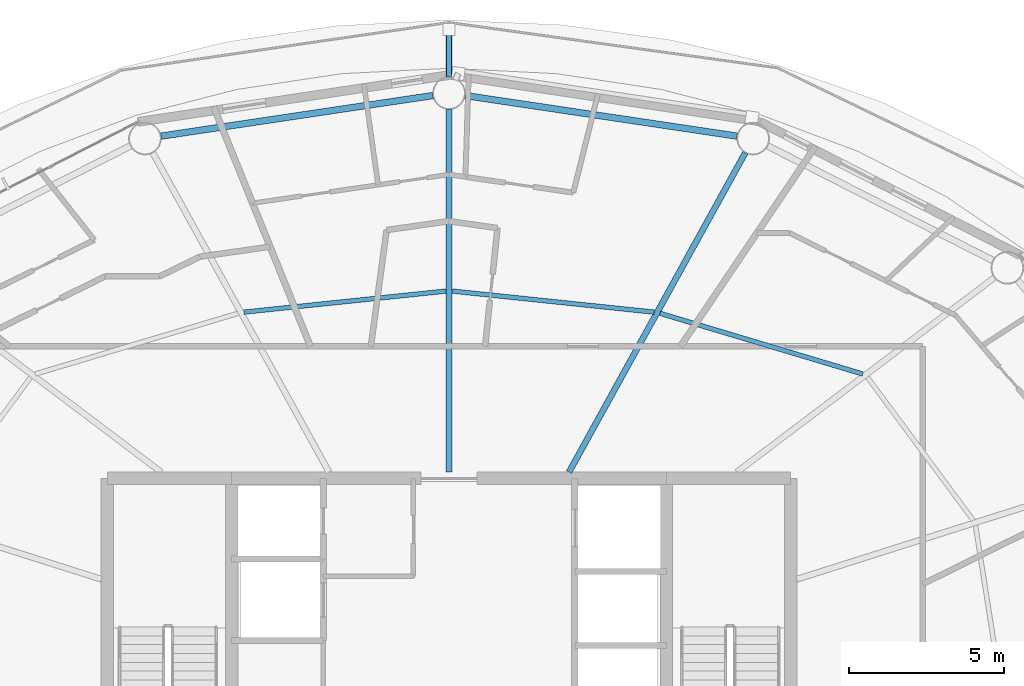
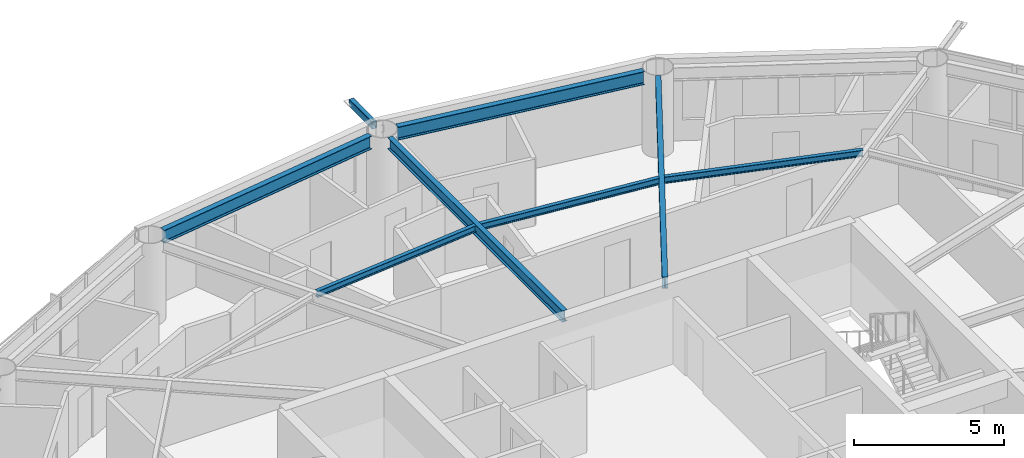
# One storey, part 10 of 23: 7 beams, 1 member.
"""IFC4 building model written with IfcOpenShell, lengths in metres."""

from ifc_helpers import new_model, si_unit, direction, frame, origin, origin_2d, place, context, subcontext, project, spatial, hollow_rectangle, i_section, extrude, material, material_profile, profile_set, type_object, element, save


model = new_model("IFC4")

# Units and contexts
model_context = context("Model", 3, precision=1e-05, world=origin(), true_north=direction((0.0, 1.0)))
body_context = subcontext(model_context, "Body", "Model", "MODEL_VIEW")
ifc_project = project(units=[si_unit("LENGTHUNIT", "METRE"), si_unit("AREAUNIT", "SQUARE_METRE"), si_unit("VOLUMEUNIT", "CUBIC_METRE"), si_unit("PLANEANGLEUNIT", "RADIAN"), si_unit("MASSUNIT", "GRAM", prefix="KILO")], contexts=[model_context])

# Site, building, storey
site_placement = place(None, origin())
site = spatial("IfcSite", under=ifc_project, at=site_placement, CompositionType="ELEMENT")
building_placement = place(site_placement, origin())
building = spatial("IfcBuilding", under=site, at=building_placement, Name="Sarneth Arch Tower", CompositionType="ELEMENT")
storey_placement = place(building_placement, frame((0.0, 0.0, 235.199951171875)))
storey = spatial("IfcBuildingStorey", under=building, at=storey_placement, Name="L60", CompositionType="ELEMENT", Elevation=235.199951171875)

# Beams
ifc_material_1 = material(Name="Steel S355", Category="steel")
ifc_material_profile_1 = material_profile(ifc_material_1, i_section(OverallWidth=0.14794921875, OverallDepth=0.26611328125, WebThickness=0.007568359375, FlangeThickness=0.012939453125, FilletRadius=0.012939453125, at=origin_2d()), Name="W250x44.8")
ifc_profile_set_1 = profile_set([ifc_material_profile_1], Name="Steel S355")
beam_type_1 = type_object("IfcBeamType", Name="BM-JOIST-250", PredefinedType="JOIST", material=ifc_profile_set_1)
beam_1_placement = place(storey_placement, frame((61.320068359375, 52.157470703125, 3.22705078125), z_axis=(-0.957984908347, 0.286818610589, 0.0), x_axis=(-0.286818610589, -0.957984908347, 0.0)))
element("IfcBeam", 1, at=beam_1_placement, inside=storey, type_object=beam_type_1, Name="L60 Secondary floor joist 03", PredefinedType="JOIST", context=body_context, shape_type="SweptSolid", body=[
    extrude(i_section(OverallWidth=0.14794921875, OverallDepth=0.26611328125, WebThickness=0.007568359375, FlangeThickness=0.012939453125, FilletRadius=0.012939453125, at=origin_2d()), origin(), (0.0, 0.0, 1.0), 6.81396484375),
])
for number, where, z_axis, x_axis, name in (
    (2, (54.60498046875, 54.1494140625, 3.22705078125), (-0.994616086198, 0.103628379682, 0.0), (-0.103628379682, -0.994616086198, 0.0), "L60 Secondary floor joist 04"),
    (3, (47.904541015625, 54.82763671875, 3.22705078125), (-0.994616086198, -0.103628379682, 0.0), (0.103628379682, -0.994616086198, 0.0), "L60 Secondary floor joist 05"),
):
    element("IfcBeam", number, at=place(storey_placement, frame(where, z_axis=z_axis, x_axis=x_axis)), inside=storey, type_object=beam_type_1, Name=name, PredefinedType="JOIST", context=body_context, shape_type="SweptSolid", body=[
        extrude(i_section(OverallWidth=0.14794921875, OverallDepth=0.26611328125, WebThickness=0.007568359375, FlangeThickness=0.012939453125, FilletRadius=0.012939453125, at=origin_2d()), origin(), (0.0, 0.0, 1.0), 6.544677734375),
    ])
ifc_material_2 = material(Name="Steel S355", Category="steel")
ifc_material_profile_2 = material_profile(ifc_material_2, i_section(OverallWidth=0.19189453125, OverallDepth=0.462890625, WebThickness=0.010498046875, FlangeThickness=0.017578125, FilletRadius=0.01806640625, at=origin_2d()), Name="W460x89")
ifc_profile_set_2 = profile_set([ifc_material_profile_2], Name="Steel S355")
beam_type_2 = type_object("IfcBeamType", Name="BM-RAD-460B", PredefinedType="BEAM", material=ifc_profile_set_2)
beam_2_placement = place(storey_placement, frame((51.86376953125, 49.0, 3.128662109375), z_axis=(0.483225760768, 0.875495781903, 0.0), x_axis=(-0.875495781903, 0.483225760768, 0.0)))
element("IfcBeam", 4, at=beam_2_placement, inside=storey, type_object=beam_type_2, Name="L60 Radial floor girder 04", PredefinedType="BEAM", context=body_context, shape_type="SweptSolid", body=[
    extrude(i_section(OverallWidth=0.19189453125, OverallDepth=0.462890625, WebThickness=0.010498046875, FlangeThickness=0.017578125, FilletRadius=0.01806640625, at=origin_2d()), origin(), (0.0, 0.0, 1.0), 11.740478515625),
])
beam_3_placement = place(storey_placement, frame((48.0, 49.0, 3.128662109375), z_axis=(0.0, 1.0, 0.0), x_axis=(-1.0, 0.0, 0.0)))
element("IfcBeam", 5, at=beam_3_placement, inside=storey, type_object=beam_type_2, Name="L60 Radial floor girder 05", PredefinedType="BEAM", context=body_context, shape_type="SweptSolid", body=[
    extrude(i_section(OverallWidth=0.19189453125, OverallDepth=0.462890625, WebThickness=0.010498046875, FlangeThickness=0.017578125, FilletRadius=0.01806640625, at=origin_2d()), origin(), (0.0, 0.0, 1.0), 11.675048828125),
])
ifc_material_3 = material(Name="Steel S355", Category="steel")
ifc_material_profile_3 = material_profile(ifc_material_3, i_section(OverallWidth=0.2109375, OverallDepth=0.5390625, WebThickness=0.01171875, FlangeThickness=0.018798828125, FilletRadius=0.01806640625, at=origin_2d()), Name="W530x109")
ifc_profile_set_3 = profile_set([ifc_material_profile_3], Name="Steel S355")
beam_type_3 = type_object("IfcBeamType", Name="BM-RAD-530B", PredefinedType="BEAM", material=ifc_profile_set_3)
for number, where, z_axis, x_axis, name in (
    (6, (57.271484375, 59.81591796875, 3.090576171875), (-0.989038715098, 0.147656425652, 0.0), (-0.147656425652, -0.989038715098, 0.0), "L60 Perimeter spandrel beam 04"),
    (7, (47.480712890625, 61.12255859375, 3.090576171875), (-0.989038715098, -0.147656425652, 0.0), (0.147656425652, -0.989038715098, 0.0), "L60 Perimeter spandrel beam 05"),
):
    element("IfcBeam", number, at=place(storey_placement, frame(where, z_axis=z_axis, x_axis=x_axis)), inside=storey, type_object=beam_type_3, Name=name, PredefinedType="BEAM", context=body_context, shape_type="SweptSolid", body=[
        extrude(i_section(OverallWidth=0.2109375, OverallDepth=0.5390625, WebThickness=0.01171875, FlangeThickness=0.018798828125, FilletRadius=0.01806640625, at=origin_2d()), origin(), (0.0, 0.0, 1.0), 8.84912109375),
    ])

# Member
ifc_material_4 = material(Name="Steel S355", Category="steel")
ifc_material_profile_4 = material_profile(ifc_material_4, hollow_rectangle(XDim=0.199951171875, YDim=0.300048828125, WallThickness=0.012451171875, InnerFilletRadius=0.018798828125, OuterFilletRadius=0.03125, at=origin_2d()), Name="RHS300x200x12.5")
ifc_profile_set_4 = profile_set([ifc_material_profile_4], Name="Steel S355")
member_type = type_object("IfcMemberType", Name="MEM-CANT-STRUT", PredefinedType="STRUT", material=ifc_profile_set_4)
member_placement = place(storey_placement, frame((48.0, 61.72509765625, 3.199951171875), z_axis=(0.0, 1.0, 0.0), x_axis=(-1.0, 0.0, 0.0)))
element("IfcMember", 8, at=member_placement, inside=storey, type_object=member_type, Name="L60 Balcony cantilever bracket 05", PredefinedType="STRUT", context=body_context, shape_type="SweptSolid", body=[
    extrude(hollow_rectangle(XDim=0.199951171875, YDim=0.300048828125, WallThickness=0.012451171875, InnerFilletRadius=0.018798828125, OuterFilletRadius=0.03125, at=origin_2d()), origin(), (0.0, 0.0, 1.0), 1.527587890625),
])

save(model, "model.ifc")
